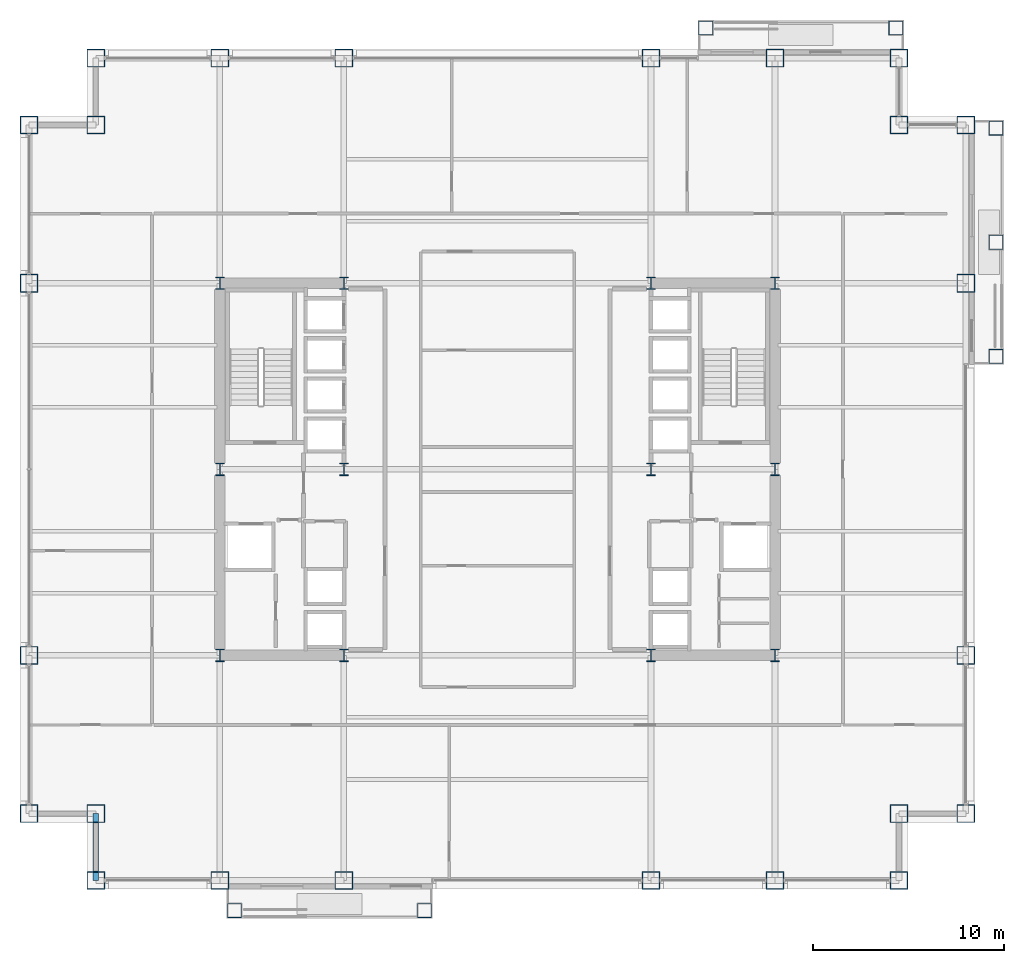
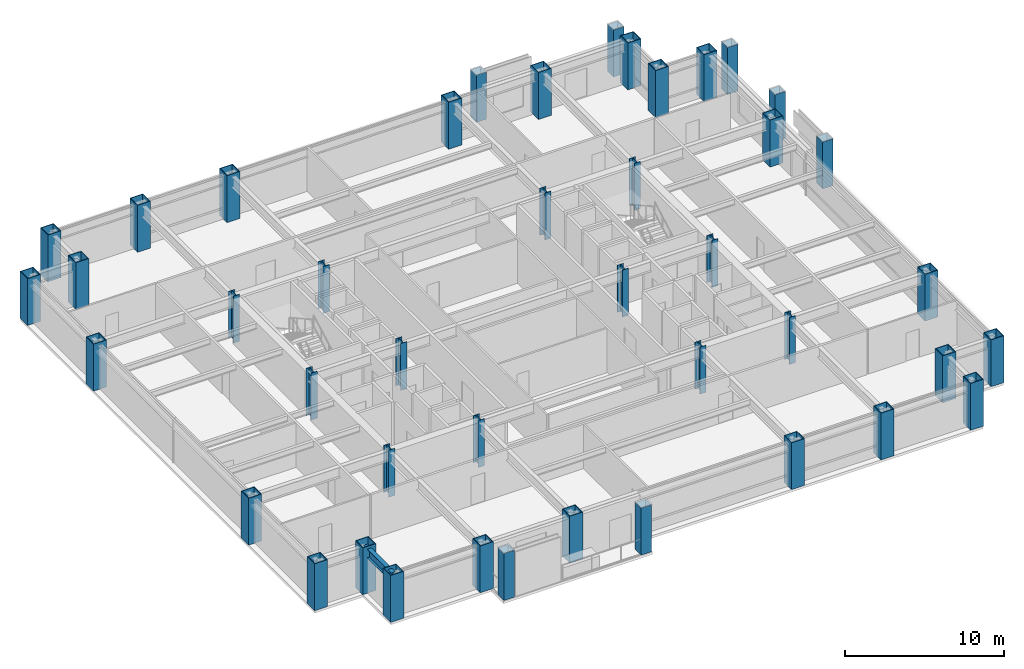
# One storey, part 1 of 31: 43 columns, 1 beam.
"""IFC4 building model written with IfcOpenShell, lengths in metres."""

from ifc_helpers import new_model, si_unit, direction, frame, origin, origin_2d, place, context, subcontext, project, spatial, hollow_rectangle, i_section, extrude, material, material_profile, profile_set, type_object, element, save


model = new_model("IFC4")

# Units and contexts
model_context = context("Model", 3, precision=1e-05, world=origin(), true_north=direction((0.0, 1.0)))
body_context = subcontext(model_context, "Body", "Model", "MODEL_VIEW")
ifc_project = project(units=[si_unit("LENGTHUNIT", "METRE"), si_unit("AREAUNIT", "SQUARE_METRE"), si_unit("VOLUMEUNIT", "CUBIC_METRE"), si_unit("PLANEANGLEUNIT", "RADIAN"), si_unit("MASSUNIT", "GRAM", prefix="KILO")], contexts=[model_context])

# Site, building, storey
site_placement = place(None, origin())
site = spatial("IfcSite", under=ifc_project, at=site_placement, CompositionType="ELEMENT")
building_placement = place(site_placement, origin())
building = spatial("IfcBuilding", under=site, at=building_placement, Name="Brelmoor Portico Tower", CompositionType="ELEMENT")
storey_placement = place(building_placement, frame((0.0, 0.0, 38.39990234375)))
storey = spatial("IfcBuildingStorey", under=building, at=storey_placement, Name="L09", CompositionType="ELEMENT", Elevation=38.39990234375)

# Columns
ifc_material_1 = material(Name="Steel Q355B", Category="steel")
ifc_material_profile_1 = material_profile(ifc_material_1, hollow_rectangle(XDim=0.75, YDim=0.75, WallThickness=0.031982421875, at=origin_2d()), Name="BOX 750x750x32")
ifc_profile_set_1 = profile_set([ifc_material_profile_1], Name="Steel Q355B")
column_type_1 = type_object("IfcColumnType", Name="COL-MEGA-750", PredefinedType="COLUMN", material=ifc_profile_set_1)
for number, where, z_axis, x_axis, name in (
    (1, (-13.780029296875, -23.1298828125, 0.0), (0.0, 0.0, 1.0), (1.0, 0.0, 0.0), "L09 Proud Picture-Frame Pier PFJ-S1"),
    (2, (-3.820068359375, -23.1298828125, 0.0), (0.0, 0.0, 1.0), (1.0, 0.0, 0.0), "L09 Proud Picture-Frame Pier PFJ-S2"),
    (3, (10.919921875, 23.1298828125, 0.0), (0.0, 0.0, 1.0), (1.0, 0.0, 0.0), "L09 Proud Picture-Frame Pier PFJ-N1"),
    (4, (20.8798828125, 23.1298828125, 0.0), (0.0, 0.0, 1.0), (1.0, 0.0, 0.0), "L09 Proud Picture-Frame Pier PFJ-N2"),
    (5, (26.1298828125, 5.919921875, 0.0), (0.0, 0.0, 1.0), (0.0, 1.0, 0.0), "L09 Proud Picture-Frame Pier PFJ-E1"),
    (6, (26.1298828125, 17.8798828125, 0.0), (0.0, 0.0, 1.0), (0.0, 1.0, 0.0), "L09 Proud Picture-Frame Pier PFJ-E2"),
    (7, (26.1298828125, 11.89990234375, 0.0), (0.0, 0.0, 1.0), (0.0, 1.0, 0.0), "L09 Proud Picture-Frame Pier PFJ-E3"),
):
    element("IfcColumn", number, at=place(storey_placement, frame(where, z_axis=z_axis, x_axis=x_axis)), inside=storey, type_object=column_type_1, Name=name, PredefinedType="COLUMN", context=body_context, shape_type="SweptSolid", body=[
        extrude(hollow_rectangle(XDim=0.75, YDim=0.75, WallThickness=0.031982421875, at=origin_2d()), origin(), (0.0, 0.0, 1.0), 3.60009765625),
    ])
ifc_material_2 = material(Name="Steel Q420B", Category="steel")
ifc_material_profile_2 = material_profile(ifc_material_2, hollow_rectangle(XDim=0.949951171875, YDim=0.949951171875, WallThickness=0.048095703125, at=origin_2d()), Name="BOX 950x950x48")
ifc_profile_set_2 = profile_set([ifc_material_profile_2], Name="Steel Q420B")
column_type_2 = type_object("IfcColumnType", Name="COL-MEGA-950", PredefinedType="COLUMN", material=ifc_profile_set_2)
for number, where, z_axis, x_axis, name in (
    (8, (-21.050048828125, -21.550048828125, 0.0), (0.0, 0.0, 1.0), (1.0, 0.0, 0.0), "L09 Perimeter Mega-Column PS01"),
    (9, (-14.550048828125, -21.550048828125, 0.0), (0.0, 0.0, 1.0), (1.0, 0.0, 0.0), "L09 Perimeter Mega-Column PS02"),
    (10, (-8.050048828125, -21.550048828125, 0.0), (0.0, 0.0, 1.0), (1.0, 0.0, 0.0), "L09 Perimeter Mega-Column PS03"),
    (11, (8.050048828125, -21.550048828125, 0.0), (0.0, 0.0, 1.0), (1.0, 0.0, 0.0), "L09 Perimeter Mega-Column PS04"),
    (12, (14.550048828125, -21.550048828125, 0.0), (0.0, 0.0, 1.0), (1.0, 0.0, 0.0), "L09 Perimeter Mega-Column PS05"),
    (13, (21.050048828125, -21.550048828125, 0.0), (0.0, 0.0, 1.0), (1.0, 0.0, 0.0), "L09 Perimeter Mega-Column PS06"),
    (14, (-21.050048828125, 21.550048828125, 0.0), (0.0, 0.0, 1.0), (1.0, 0.0, 0.0), "L09 Perimeter Mega-Column PN01"),
    (15, (-14.550048828125, 21.550048828125, 0.0), (0.0, 0.0, 1.0), (1.0, 0.0, 0.0), "L09 Perimeter Mega-Column PN02"),
    (16, (-8.050048828125, 21.550048828125, 0.0), (0.0, 0.0, 1.0), (1.0, 0.0, 0.0), "L09 Perimeter Mega-Column PN03"),
    (17, (8.050048828125, 21.550048828125, 0.0), (0.0, 0.0, 1.0), (1.0, 0.0, 0.0), "L09 Perimeter Mega-Column PN04"),
    (18, (14.550048828125, 21.550048828125, 0.0), (0.0, 0.0, 1.0), (1.0, 0.0, 0.0), "L09 Perimeter Mega-Column PN05"),
    (19, (21.050048828125, 21.550048828125, 0.0), (0.0, 0.0, 1.0), (1.0, 0.0, 0.0), "L09 Perimeter Mega-Column PN06"),
    (20, (-24.550048828125, -18.050048828125, 0.0), (0.0, 0.0, 1.0), (0.0, 1.0, 0.0), "L09 Perimeter Mega-Column PW01"),
    (21, (-24.550048828125, -9.75, 0.0), (0.0, 0.0, 1.0), (0.0, 1.0, 0.0), "L09 Perimeter Mega-Column PW02"),
    (22, (-24.550048828125, 9.75, 0.0), (0.0, 0.0, 1.0), (0.0, 1.0, 0.0), "L09 Perimeter Mega-Column PW03"),
    (23, (-24.550048828125, 18.050048828125, 0.0), (0.0, 0.0, 1.0), (0.0, 1.0, 0.0), "L09 Perimeter Mega-Column PW04"),
    (24, (24.550048828125, -18.050048828125, 0.0), (0.0, 0.0, 1.0), (0.0, 1.0, 0.0), "L09 Perimeter Mega-Column PE01"),
    (25, (24.550048828125, -9.75, 0.0), (0.0, 0.0, 1.0), (0.0, 1.0, 0.0), "L09 Perimeter Mega-Column PE02"),
    (26, (24.550048828125, 9.75, 0.0), (0.0, 0.0, 1.0), (0.0, 1.0, 0.0), "L09 Perimeter Mega-Column PE03"),
    (27, (24.550048828125, 18.050048828125, 0.0), (0.0, 0.0, 1.0), (0.0, 1.0, 0.0), "L09 Perimeter Mega-Column PE04"),
    (28, (-21.050048828125, 18.050048828125, 0.0), (0.0, 0.0, 1.0), (1.0, 0.0, 0.0), "L09 Perimeter Mega-Column PC-NW"),
    (29, (21.050048828125, 18.050048828125, 0.0), (0.0, 0.0, 1.0), (1.0, 0.0, 0.0), "L09 Perimeter Mega-Column PC-NE"),
    (30, (21.050048828125, -18.050048828125, 0.0), (0.0, 0.0, 1.0), (1.0, 0.0, 0.0), "L09 Perimeter Mega-Column PC-SE"),
    (31, (-21.050048828125, -18.050048828125, 0.0), (0.0, 0.0, 1.0), (1.0, 0.0, 0.0), "L09 Perimeter Mega-Column PC-SW"),
):
    element("IfcColumn", number, at=place(storey_placement, frame(where, z_axis=z_axis, x_axis=x_axis)), inside=storey, type_object=column_type_2, Name=name, PredefinedType="COLUMN", context=body_context, shape_type="SweptSolid", body=[
        extrude(hollow_rectangle(XDim=0.949951171875, YDim=0.949951171875, WallThickness=0.048095703125, at=origin_2d()), origin(), (0.0, 0.0, 1.0), 3.60009765625),
    ])
ifc_material_profile_3 = material_profile(ifc_material_1, i_section(OverallWidth=0.449951171875, OverallDepth=0.64990234375, WebThickness=0.02490234375, FlangeThickness=0.0400390625, at=origin_2d()), Name="HW 650x450x25x40")
ifc_profile_set_3 = profile_set([ifc_material_profile_3], Name="Steel Q355B")
column_type_3 = type_object("IfcColumnType", Name="COL-SPINE-650", PredefinedType="COLUMN", material=ifc_profile_set_3)
for number, where, z_axis, x_axis, name in (
    (32, (-14.550048828125, -9.75, 0.0), (0.0, 0.0, 1.0), (1.0, 0.0, 0.0), "L09 Core Spine Column CW-SW"),
    (33, (-14.550048828125, 0.0, 0.0), (0.0, 0.0, 1.0), (1.0, 0.0, 0.0), "L09 Core Spine Column CW-MW"),
    (34, (-14.550048828125, 9.75, 0.0), (0.0, 0.0, 1.0), (1.0, 0.0, 0.0), "L09 Core Spine Column CW-NW"),
    (35, (-8.050048828125, -9.75, 0.0), (0.0, 0.0, 1.0), (1.0, 0.0, 0.0), "L09 Core Spine Column CW-SE"),
    (36, (-8.050048828125, 0.0, 0.0), (0.0, 0.0, 1.0), (1.0, 0.0, 0.0), "L09 Core Spine Column CW-ME"),
    (37, (-8.050048828125, 9.75, 0.0), (0.0, 0.0, 1.0), (1.0, 0.0, 0.0), "L09 Core Spine Column CW-NE"),
    (38, (8.050048828125, -9.75, 0.0), (0.0, 0.0, 1.0), (1.0, 0.0, 0.0), "L09 Core Spine Column CE-SW"),
    (39, (8.050048828125, 0.0, 0.0), (0.0, 0.0, 1.0), (1.0, 0.0, 0.0), "L09 Core Spine Column CE-MW"),
    (40, (8.050048828125, 9.75, 0.0), (0.0, 0.0, 1.0), (1.0, 0.0, 0.0), "L09 Core Spine Column CE-NW"),
    (41, (14.550048828125, -9.75, 0.0), (0.0, 0.0, 1.0), (1.0, 0.0, 0.0), "L09 Core Spine Column CE-SE"),
    (42, (14.550048828125, 0.0, 0.0), (0.0, 0.0, 1.0), (1.0, 0.0, 0.0), "L09 Core Spine Column CE-ME"),
    (43, (14.550048828125, 9.75, 0.0), (0.0, 0.0, 1.0), (1.0, 0.0, 0.0), "L09 Core Spine Column CE-NE"),
):
    element("IfcColumn", number, at=place(storey_placement, frame(where, z_axis=z_axis, x_axis=x_axis)), inside=storey, type_object=column_type_3, Name=name, PredefinedType="COLUMN", context=body_context, shape_type="SweptSolid", body=[
        extrude(i_section(OverallWidth=0.449951171875, OverallDepth=0.64990234375, WebThickness=0.02490234375, FlangeThickness=0.0400390625, at=origin_2d()), origin(), (0.0, 0.0, 1.0), 3.60009765625),
    ])

# Beam
ifc_material_profile_4 = material_profile(ifc_material_1, i_section(OverallWidth=0.300048828125, OverallDepth=0.699951171875, WebThickness=0.012939453125, FlangeThickness=0.02392578125, at=origin_2d()), Name="HN 700x300x13x24")
ifc_profile_set_4 = profile_set([ifc_material_profile_4], Name="Steel Q355B")
beam_type = type_object("IfcBeamType", Name="BM-SP-700", PredefinedType="SPANDREL", material=ifc_profile_set_4)
beam_placement = place(storey_placement, frame((-21.050048828125, -21.550048828125, 3.050048828125), z_axis=(0.0, 1.0, 0.0), x_axis=(-1.0, 0.0, 0.0)))
element("IfcBeam", 44, at=beam_placement, inside=storey, type_object=beam_type, Name="L09 Perimeter Spandrel Beam SP-18", PredefinedType="SPANDREL", context=body_context, shape_type="SweptSolid", body=[
    extrude(i_section(OverallWidth=0.300048828125, OverallDepth=0.699951171875, WebThickness=0.012939453125, FlangeThickness=0.02392578125, at=origin_2d()), origin(), (0.0, 0.0, 1.0), 3.5),
])

save(model, "model.ifc")
